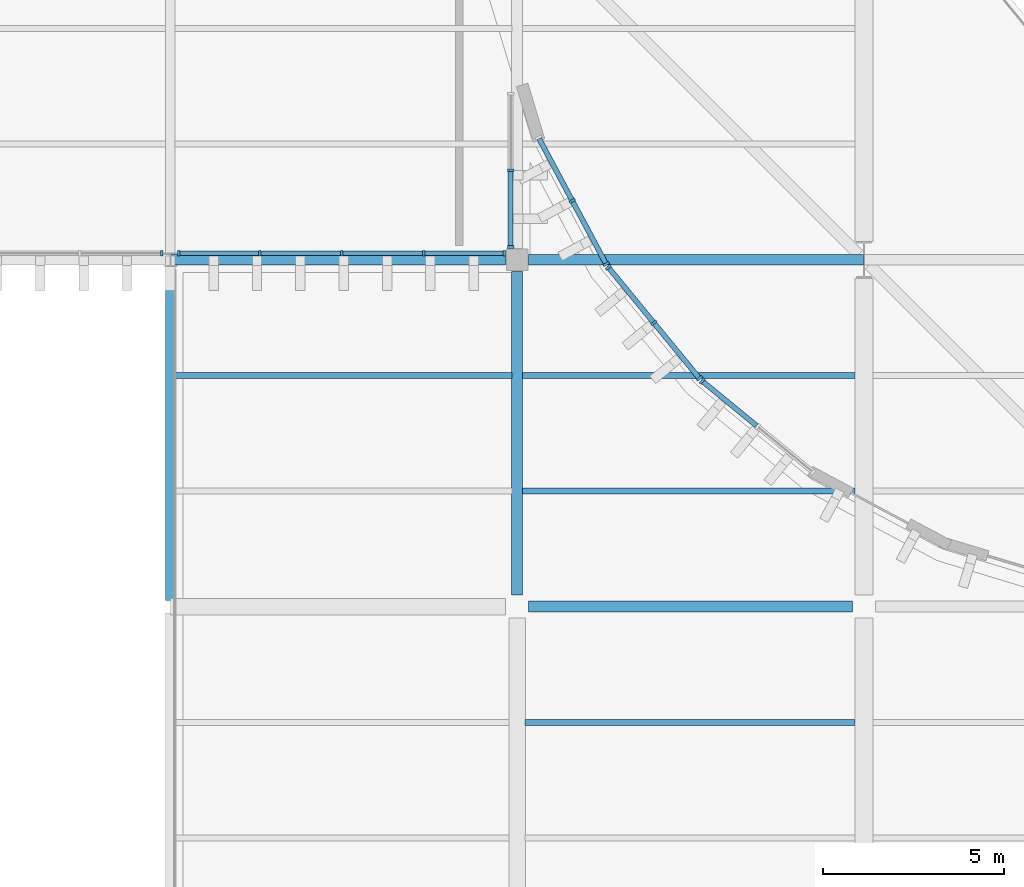
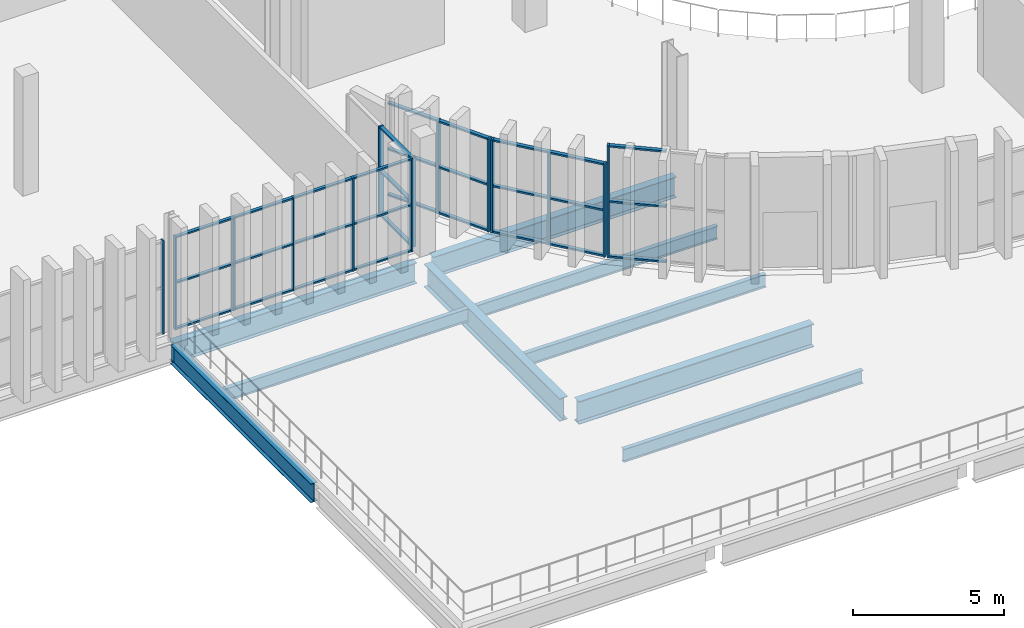
# One storey, part 15 of 99: 44 members, 9 beams, 6 elements without a shape of their own.
"""IFC4 building model written with IfcOpenShell, lengths in metres."""

from ifc_helpers import new_model, si_unit, direction, frame, origin, origin_2d, place, context, subcontext, project, spatial, rectangle, i_section, extrude, material, layer, layer_set, material_profile, profile_set, type_object, element, aggregate, save


model = new_model("IFC4")

# Units and contexts
model_context = context("Model", 3, precision=1e-05, world=origin(), true_north=direction((0.0, 1.0)))
body_context = subcontext(model_context, "Body", "Model", "MODEL_VIEW")
ifc_project = project(units=[si_unit("LENGTHUNIT", "METRE"), si_unit("AREAUNIT", "SQUARE_METRE"), si_unit("VOLUMEUNIT", "CUBIC_METRE"), si_unit("PLANEANGLEUNIT", "RADIAN"), si_unit("MASSUNIT", "GRAM", prefix="KILO")], contexts=[model_context])

# Site, building, storey
site_placement = place(None, origin())
site = spatial("IfcSite", under=ifc_project, at=site_placement, CompositionType="ELEMENT")
building_placement = place(site_placement, origin())
building = spatial("IfcBuilding", under=site, at=building_placement, Name="Caelomonte Colonnade Arena", CompositionType="ELEMENT")
storey_placement = place(building_placement, frame((0.0, 0.0, 4.800048828125)))
storey = spatial("IfcBuildingStorey", under=building, at=storey_placement, Name="L01", CompositionType="ELEMENT", Elevation=4.800048828125)

# Curtain wall, members
ifc_material_1 = material(Name="Bronze anodised aluminium and low-E glazing", Category="aluminium")
ifc_layer_1 = layer(ifc_material_1, 0.179931640625)
ifc_layer_set_1 = layer_set([ifc_layer_1], Name="Bronze anodised aluminium and low-E glazing")
curtain_wall_type_1 = type_object("IfcCurtainWallType", Name="ENV-CW-CW-L01-48-36", PredefinedType="USERDEFINED", material=ifc_layer_set_1)
curtain_wall_1_placement = place(storey_placement, origin())
curtain_wall_1 = element("IfcCurtainWall", 1, at=curtain_wall_1_placement, inside=storey, type_object=curtain_wall_type_1, Name="L01 unitized curtain wall CW-L01-0574-0312", ObjectType="UNITIZED CURTAIN WALL", PredefinedType="USERDEFINED")
ifc_material_2 = material(Name="Bronze anodised aluminium AA6063-T6", Category="aluminium")
ifc_material_profile_1 = material_profile(ifc_material_2, rectangle(XDim=0.070068359375, YDim=0.179931640625, at=origin_2d()), Name="CWM-70X180")
ifc_profile_set_1 = profile_set([ifc_material_profile_1], Name="Bronze anodised aluminium AA6063-T6")
member_type_1 = type_object("IfcMemberType", Name="ENV-CW-MULL1", PredefinedType="MULLION", material=ifc_profile_set_1)
member_1_placement = place(storey_placement, frame((57.419921875, 29.155029296875, 0.0), z_axis=(0.0, 0.0, 1.0), x_axis=(0.0, 1.0, 0.0)))
member_1 = element("IfcMember", 2, at=member_1_placement, type_object=member_type_1, Name="CW-L01-48-36 mullion 1", PredefinedType="MULLION", context=body_context, shape_type="SweptSolid", body=[
    extrude(rectangle(XDim=0.070068359375, YDim=0.179931640625, at=origin_2d()), origin(), (0.0, 0.0, 1.0), 3.593017578125),
])
member_2_placement = place(storey_placement, frame((57.419921875, 31.27783203125, 0.0), z_axis=(0.0, 0.0, 1.0), x_axis=(0.0, 1.0, 0.0)))
member_2 = element("IfcMember", 3, at=member_2_placement, type_object=member_type_1, Name="CW-L01-48-36 mullion 2", PredefinedType="MULLION", context=body_context, shape_type="SweptSolid", body=[
    extrude(rectangle(XDim=0.070068359375, YDim=0.179931640625, at=origin_2d()), origin(), (0.0, 0.0, 1.0), 3.593017578125),
])

ifc_layer_2 = layer(ifc_material_1, 0.179931640625)
ifc_layer_set_2 = layer_set([ifc_layer_2], Name="Bronze anodised aluminium and low-E glazing")
curtain_wall_type_2 = type_object("IfcCurtainWallType", Name="ENV-CW-CW-L01-44-38", PredefinedType="USERDEFINED", material=ifc_layer_set_2)
curtain_wall_2_placement = place(storey_placement, origin())
curtain_wall_2 = element("IfcCurtainWall", 4, at=curtain_wall_2_placement, inside=storey, type_object=curtain_wall_type_2, Name="L01 unitized curtain wall CW-L01-0591-0304", ObjectType="UNITIZED CURTAIN WALL", PredefinedType="USERDEFINED")
member_3_placement = place(storey_placement, frame((59.12744140625, 30.43310546875, 0.0), z_axis=(0.0, 0.0, 1.0), x_axis=(0.471394212466, -0.881922613642, 0.0)))
member_3 = element("IfcMember", 5, at=member_3_placement, type_object=member_type_1, Name="CW-L01-44-38 mullion 2", PredefinedType="MULLION", context=body_context, shape_type="SweptSolid", body=[
    extrude(rectangle(XDim=0.070068359375, YDim=0.179931640625, at=origin_2d()), origin(), (0.0, 0.0, 1.0), 3.758056640625),
])
member_4_placement = place(storey_placement, frame((60.0625, 28.68408203125, 0.0), z_axis=(0.0, 0.0, 1.0), x_axis=(0.471394212466, -0.881922613642, 0.0)))
member_4 = element("IfcMember", 6, at=member_4_placement, type_object=member_type_1, Name="CW-L01-44-38 mullion 3", PredefinedType="MULLION", context=body_context, shape_type="SweptSolid", body=[
    extrude(rectangle(XDim=0.070068359375, YDim=0.179931640625, at=origin_2d()), origin(), (0.0, 0.0, 1.0), 3.758056640625),
])

curtain_wall_3_placement = place(storey_placement, origin())
curtain_wall_3 = element("IfcCurtainWall", 7, at=curtain_wall_3_placement, inside=storey, type_object=curtain_wall_type_2, Name="L01 unitized curtain wall CW-L01-0614-0271", ObjectType="UNITIZED CURTAIN WALL", PredefinedType="USERDEFINED")
member_5_placement = place(storey_placement, frame((60.125732421875, 28.58935546875, 0.0), z_axis=(0.0, 0.0, 1.0), x_axis=(0.634416071163, -0.772991751994, 0.0)))
member_5 = element("IfcMember", 8, at=member_5_placement, type_object=member_type_1, Name="CW-L01-44-38 mullion 1", PredefinedType="MULLION", context=body_context, shape_type="SweptSolid", body=[
    extrude(rectangle(XDim=0.070068359375, YDim=0.179931640625, at=origin_2d()), origin(), (0.0, 0.0, 1.0), 3.758056640625),
])
member_6_placement = place(storey_placement, frame((61.384033203125, 27.05615234375, 0.0), z_axis=(0.0, 0.0, 1.0), x_axis=(0.634416071163, -0.772991751994, 0.0)))
member_6 = element("IfcMember", 9, at=member_6_placement, type_object=member_type_1, Name="CW-L01-44-38 mullion 2", PredefinedType="MULLION", context=body_context, shape_type="SweptSolid", body=[
    extrude(rectangle(XDim=0.070068359375, YDim=0.179931640625, at=origin_2d()), origin(), (0.0, 0.0, 1.0), 3.758056640625),
])
member_7_placement = place(storey_placement, frame((62.642333984375, 25.52294921875, 0.0), z_axis=(0.0, 0.0, 1.0), x_axis=(0.634416071163, -0.772991751994, 0.0)))
member_7 = element("IfcMember", 10, at=member_7_placement, type_object=member_type_1, Name="CW-L01-44-38 mullion 3", PredefinedType="MULLION", context=body_context, shape_type="SweptSolid", body=[
    extrude(rectangle(XDim=0.070068359375, YDim=0.179931640625, at=origin_2d()), origin(), (0.0, 0.0, 1.0), 3.758056640625),
])

# Curtain wall, member
ifc_layer_3 = layer(ifc_material_1, 0.179931640625)
ifc_layer_set_3 = layer_set([ifc_layer_3], Name="Bronze anodised aluminium and low-E glazing")
curtain_wall_type_3 = type_object("IfcCurtainWallType", Name="ENV-CW-CW-L01-44-45", PredefinedType="USERDEFINED", material=ifc_layer_set_3)
curtain_wall_4_placement = place(storey_placement, origin())
curtain_wall_4 = element("IfcCurtainWall", 11, at=curtain_wall_4_placement, inside=storey, type_object=curtain_wall_type_3, Name="L01 unitized curtain wall CW-L01-0643-0242", ObjectType="UNITIZED CURTAIN WALL", PredefinedType="USERDEFINED")
member_8_placement = place(storey_placement, frame((62.722900390625, 25.4423828125, 0.0), z_axis=(0.0, 0.0, 1.0), x_axis=(0.772991751994, -0.634416071163, 0.0)))
member_8 = element("IfcMember", 12, at=member_8_placement, type_object=member_type_1, Name="CW-L01-44-45 mullion 1", PredefinedType="MULLION", context=body_context, shape_type="SweptSolid", body=[
    extrude(rectangle(XDim=0.070068359375, YDim=0.179931640625, at=origin_2d()), origin(), (0.0, 0.0, 1.0), 4.52001953125),
])

ifc_layer_4 = layer(ifc_material_1, 0.179931640625)
ifc_layer_set_4 = layer_set([ifc_layer_4], Name="Bronze anodised aluminium and low-E glazing")
curtain_wall_type_4 = type_object("IfcCurtainWallType", Name="ENV-CW-CW-L01-96-38", PredefinedType="USERDEFINED", material=ifc_layer_set_4)
curtain_wall_5_placement = place(storey_placement, origin())
curtain_wall_5 = element("IfcCurtainWall", 13, at=curtain_wall_5_placement, inside=storey, type_object=curtain_wall_type_4, Name="L01 unitized curtain wall CW-L01-0432-0290", ObjectType="UNITIZED CURTAIN WALL", PredefinedType="USERDEFINED")
ifc_material_profile_2 = material_profile(ifc_material_2, rectangle(XDim=0.06494140625, YDim=0.14990234375, at=origin_2d()), Name="CWM-65X150")
ifc_profile_set_2 = profile_set([ifc_material_profile_2], Name="Bronze anodised aluminium AA6063-T6")
member_type_2 = type_object("IfcMemberType", Name="ENV-CW-MULL2", PredefinedType="MULLION", material=ifc_profile_set_2)
member_9_placement = place(storey_placement, frame((47.76318359375, 28.97998046875, 0.0), z_axis=(0.0, 0.0, 1.0), x_axis=(1.0, 0.0, 0.0)))
member_9 = element("IfcMember", 14, at=member_9_placement, type_object=member_type_2, Name="CW-L01-96-38 mullion 5", PredefinedType="MULLION", context=body_context, shape_type="SweptSolid", body=[
    extrude(rectangle(XDim=0.06494140625, YDim=0.14990234375, at=origin_2d()), origin(), (0.0, 0.0, 1.0), 3.758056640625),
])
aggregate(curtain_wall_5, [member_9])

# Curtain wall, members
curtain_wall_6_placement = place(storey_placement, origin())
curtain_wall_6 = element("IfcCurtainWall", 15, at=curtain_wall_6_placement, inside=storey, type_object=curtain_wall_type_4, Name="L01 unitized curtain wall CW-L01-0528-0290", ObjectType="UNITIZED CURTAIN WALL", PredefinedType="USERDEFINED")
member_10_placement = place(storey_placement, frame((48.23681640625, 28.97998046875, 0.0), z_axis=(0.0, 0.0, 1.0), x_axis=(1.0, 0.0, 0.0)))
member_10 = element("IfcMember", 16, at=member_10_placement, type_object=member_type_2, Name="CW-L01-96-38 mullion 1", PredefinedType="MULLION", context=body_context, shape_type="SweptSolid", body=[
    extrude(rectangle(XDim=0.06494140625, YDim=0.14990234375, at=origin_2d()), origin(), (0.0, 0.0, 1.0), 3.758056640625),
])
member_11_placement = place(storey_placement, frame((50.473388671875, 28.97998046875, 0.0), z_axis=(0.0, 0.0, 1.0), x_axis=(1.0, 0.0, 0.0)))
member_11 = element("IfcMember", 17, at=member_11_placement, type_object=member_type_2, Name="CW-L01-96-38 mullion 2", PredefinedType="MULLION", context=body_context, shape_type="SweptSolid", body=[
    extrude(rectangle(XDim=0.06494140625, YDim=0.14990234375, at=origin_2d()), origin(), (0.0, 0.0, 1.0), 3.758056640625),
])
member_12_placement = place(storey_placement, frame((52.7421875, 28.97998046875, 0.0), z_axis=(0.0, 0.0, 1.0), x_axis=(1.0, 0.0, 0.0)))
member_12 = element("IfcMember", 18, at=member_12_placement, type_object=member_type_2, Name="CW-L01-96-38 mullion 3", PredefinedType="MULLION", context=body_context, shape_type="SweptSolid", body=[
    extrude(rectangle(XDim=0.06494140625, YDim=0.14990234375, at=origin_2d()), origin(), (0.0, 0.0, 1.0), 3.758056640625),
])
member_13_placement = place(storey_placement, frame((55.010986328125, 28.97998046875, 0.0), z_axis=(0.0, 0.0, 1.0), x_axis=(1.0, 0.0, 0.0)))
member_13 = element("IfcMember", 19, at=member_13_placement, type_object=member_type_2, Name="CW-L01-96-38 mullion 4", PredefinedType="MULLION", context=body_context, shape_type="SweptSolid", body=[
    extrude(rectangle(XDim=0.06494140625, YDim=0.14990234375, at=origin_2d()), origin(), (0.0, 0.0, 1.0), 3.758056640625),
])
member_14_placement = place(storey_placement, frame((57.24755859375, 28.97998046875, 0.0), z_axis=(0.0, 0.0, 1.0), x_axis=(1.0, 0.0, 0.0)))
member_14 = element("IfcMember", 20, at=member_14_placement, type_object=member_type_2, Name="CW-L01-96-38 mullion 5", PredefinedType="MULLION", context=body_context, shape_type="SweptSolid", body=[
    extrude(rectangle(XDim=0.06494140625, YDim=0.14990234375, at=origin_2d()), origin(), (0.0, 0.0, 1.0), 3.758056640625),
])

# Member
ifc_material_profile_3 = material_profile(ifc_material_2, rectangle(XDim=0.070068359375, YDim=0.139892578125, at=origin_2d()), Name="CWT-70X140")
ifc_profile_set_3 = profile_set([ifc_material_profile_3], Name="Bronze anodised aluminium AA6063-T6")
member_type_3 = type_object("IfcMemberType", Name="ENV-CW-TRAN1", PredefinedType="USERDEFINED", material=ifc_profile_set_3)
member_15_placement = place(storey_placement, frame((57.419921875, 29.18994140625, 0.034912109375), z_axis=(0.0, 1.0, 0.0), x_axis=(0.0, 0.0, 1.0)))
member_15 = element("IfcMember", 21, at=member_15_placement, type_object=member_type_3, Name="CW-L01-48-36 transom 1.1", ObjectType="TRANSOM", PredefinedType="USERDEFINED", context=body_context, shape_type="SweptSolid", body=[
    extrude(rectangle(XDim=0.070068359375, YDim=0.139892578125, at=origin_2d()), origin(), (0.0, 0.0, 1.0), 2.052734375),
])

member_16_placement = place(storey_placement, frame((57.419921875, 29.18994140625, 1.79638671875), z_axis=(0.0, 1.0, 0.0), x_axis=(0.0, 0.0, 1.0)))
member_16 = element("IfcMember", 22, at=member_16_placement, type_object=member_type_3, Name="CW-L01-48-36 transom 1.2", ObjectType="TRANSOM", PredefinedType="USERDEFINED", context=body_context, shape_type="SweptSolid", body=[
    extrude(rectangle(XDim=0.070068359375, YDim=0.139892578125, at=origin_2d()), origin(), (0.0, 0.0, 1.0), 2.052734375),
])

member_17_placement = place(storey_placement, frame((57.419921875, 29.18994140625, 3.557861328125), z_axis=(0.0, 1.0, 0.0), x_axis=(0.0, 0.0, 1.0)))
member_17 = element("IfcMember", 23, at=member_17_placement, type_object=member_type_3, Name="CW-L01-48-36 transom 1.3", ObjectType="TRANSOM", PredefinedType="USERDEFINED", context=body_context, shape_type="SweptSolid", body=[
    extrude(rectangle(XDim=0.070068359375, YDim=0.139892578125, at=origin_2d()), origin(), (0.0, 0.0, 1.0), 2.052734375),
])

aggregate(curtain_wall_1, [member_1, member_2, member_15, member_16, member_17])

member_18_placement = place(storey_placement, frame((58.208984375, 32.1513671875, 0.034912109375), z_axis=(0.47149534087, -0.881868552301, 0.0), x_axis=(0.0, 0.0, 1.0)))
member_18 = element("IfcMember", 24, at=member_18_placement, type_object=member_type_3, Name="CW-L01-44-38 transom 1.1", ObjectType="TRANSOM", PredefinedType="USERDEFINED", context=body_context, shape_type="SweptSolid", body=[
    extrude(rectangle(XDim=0.070068359375, YDim=0.139892578125, at=origin_2d()), origin(), (0.0, 0.0, 1.0), 1.913330078125),
])

member_19_placement = place(storey_placement, frame((58.208984375, 32.1513671875, 1.87890625), z_axis=(0.47149534087, -0.881868552301, 0.0), x_axis=(0.0, 0.0, 1.0)))
member_19 = element("IfcMember", 25, at=member_19_placement, type_object=member_type_3, Name="CW-L01-44-38 transom 1.2", ObjectType="TRANSOM", PredefinedType="USERDEFINED", context=body_context, shape_type="SweptSolid", body=[
    extrude(rectangle(XDim=0.070068359375, YDim=0.139892578125, at=origin_2d()), origin(), (0.0, 0.0, 1.0), 1.913330078125),
])

member_20_placement = place(storey_placement, frame((58.208984375, 32.1513671875, 3.722900390625), z_axis=(0.47149534087, -0.881868552301, 0.0), x_axis=(0.0, 0.0, 1.0)))
member_20 = element("IfcMember", 26, at=member_20_placement, type_object=member_type_3, Name="CW-L01-44-38 transom 1.3", ObjectType="TRANSOM", PredefinedType="USERDEFINED", context=body_context, shape_type="SweptSolid", body=[
    extrude(rectangle(XDim=0.070068359375, YDim=0.139892578125, at=origin_2d()), origin(), (0.0, 0.0, 1.0), 1.913330078125),
])

member_21_placement = place(storey_placement, frame((59.14404296875, 30.40234375, 0.034912109375), z_axis=(0.471343048304, -0.88194995936, 0.0), x_axis=(0.0, 0.0, 1.0)))
member_21 = element("IfcMember", 27, at=member_21_placement, type_object=member_type_3, Name="CW-L01-44-38 transom 2.1", ObjectType="TRANSOM", PredefinedType="USERDEFINED", context=body_context, shape_type="SweptSolid", body=[
    extrude(rectangle(XDim=0.070068359375, YDim=0.139892578125, at=origin_2d()), origin(), (0.0, 0.0, 1.0), 1.913330078125),
])

member_22_placement = place(storey_placement, frame((59.14404296875, 30.40234375, 1.87890625), z_axis=(0.471343048304, -0.88194995936, 0.0), x_axis=(0.0, 0.0, 1.0)))
member_22 = element("IfcMember", 28, at=member_22_placement, type_object=member_type_3, Name="CW-L01-44-38 transom 2.2", ObjectType="TRANSOM", PredefinedType="USERDEFINED", context=body_context, shape_type="SweptSolid", body=[
    extrude(rectangle(XDim=0.070068359375, YDim=0.139892578125, at=origin_2d()), origin(), (0.0, 0.0, 1.0), 1.913330078125),
])

member_23_placement = place(storey_placement, frame((59.14404296875, 30.40234375, 3.722900390625), z_axis=(0.471343048304, -0.88194995936, 0.0), x_axis=(0.0, 0.0, 1.0)))
member_23 = element("IfcMember", 29, at=member_23_placement, type_object=member_type_3, Name="CW-L01-44-38 transom 2.3", ObjectType="TRANSOM", PredefinedType="USERDEFINED", context=body_context, shape_type="SweptSolid", body=[
    extrude(rectangle(XDim=0.070068359375, YDim=0.139892578125, at=origin_2d()), origin(), (0.0, 0.0, 1.0), 1.913330078125),
])

aggregate(curtain_wall_2, [member_3, member_4, member_18, member_19, member_20, member_21, member_22, member_23])

member_24_placement = place(storey_placement, frame((60.14794921875, 28.562255859375, 0.034912109375), z_axis=(0.634418283662, -0.772989936128, 0.0), x_axis=(0.0, 0.0, 1.0)))
member_24 = element("IfcMember", 30, at=member_24_placement, type_object=member_type_3, Name="CW-L01-44-38 transom 1.1", ObjectType="TRANSOM", PredefinedType="USERDEFINED", context=body_context, shape_type="SweptSolid", body=[
    extrude(rectangle(XDim=0.070068359375, YDim=0.139892578125, at=origin_2d()), origin(), (0.0, 0.0, 1.0), 1.913330078125),
])

member_25_placement = place(storey_placement, frame((60.14794921875, 28.562255859375, 1.87890625), z_axis=(0.634418283662, -0.772989936128, 0.0), x_axis=(0.0, 0.0, 1.0)))
member_25 = element("IfcMember", 31, at=member_25_placement, type_object=member_type_3, Name="CW-L01-44-38 transom 1.2", ObjectType="TRANSOM", PredefinedType="USERDEFINED", context=body_context, shape_type="SweptSolid", body=[
    extrude(rectangle(XDim=0.070068359375, YDim=0.139892578125, at=origin_2d()), origin(), (0.0, 0.0, 1.0), 1.913330078125),
])

member_26_placement = place(storey_placement, frame((60.14794921875, 28.562255859375, 3.722900390625), z_axis=(0.634418283662, -0.772989936128, 0.0), x_axis=(0.0, 0.0, 1.0)))
member_26 = element("IfcMember", 32, at=member_26_placement, type_object=member_type_3, Name="CW-L01-44-38 transom 1.3", ObjectType="TRANSOM", PredefinedType="USERDEFINED", context=body_context, shape_type="SweptSolid", body=[
    extrude(rectangle(XDim=0.070068359375, YDim=0.139892578125, at=origin_2d()), origin(), (0.0, 0.0, 1.0), 1.913330078125),
])

member_27_placement = place(storey_placement, frame((61.40625, 27.029052734375, 0.034912109375), z_axis=(0.634418283662, -0.772989936128, 0.0), x_axis=(0.0, 0.0, 1.0)))
member_27 = element("IfcMember", 33, at=member_27_placement, type_object=member_type_3, Name="CW-L01-44-38 transom 2.1", ObjectType="TRANSOM", PredefinedType="USERDEFINED", context=body_context, shape_type="SweptSolid", body=[
    extrude(rectangle(XDim=0.070068359375, YDim=0.139892578125, at=origin_2d()), origin(), (0.0, 0.0, 1.0), 1.913330078125),
])

member_28_placement = place(storey_placement, frame((61.40625, 27.029052734375, 1.87890625), z_axis=(0.634418283662, -0.772989936128, 0.0), x_axis=(0.0, 0.0, 1.0)))
member_28 = element("IfcMember", 34, at=member_28_placement, type_object=member_type_3, Name="CW-L01-44-38 transom 2.2", ObjectType="TRANSOM", PredefinedType="USERDEFINED", context=body_context, shape_type="SweptSolid", body=[
    extrude(rectangle(XDim=0.070068359375, YDim=0.139892578125, at=origin_2d()), origin(), (0.0, 0.0, 1.0), 1.913330078125),
])

member_29_placement = place(storey_placement, frame((61.40625, 27.029052734375, 3.722900390625), z_axis=(0.634418283662, -0.772989936128, 0.0), x_axis=(0.0, 0.0, 1.0)))
member_29 = element("IfcMember", 35, at=member_29_placement, type_object=member_type_3, Name="CW-L01-44-38 transom 2.3", ObjectType="TRANSOM", PredefinedType="USERDEFINED", context=body_context, shape_type="SweptSolid", body=[
    extrude(rectangle(XDim=0.070068359375, YDim=0.139892578125, at=origin_2d()), origin(), (0.0, 0.0, 1.0), 1.913330078125),
])

aggregate(curtain_wall_3, [member_5, member_6, member_7, member_24, member_25, member_26, member_27, member_28, member_29])

member_30_placement = place(storey_placement, frame((62.75, 25.420166015625, 0.034912109375), z_axis=(0.772989936128, -0.634418283662, 0.0), x_axis=(0.0, 0.0, 1.0)))
member_30 = element("IfcMember", 36, at=member_30_placement, type_object=member_type_3, Name="CW-L01-44-45 transom 1.1", ObjectType="TRANSOM", PredefinedType="USERDEFINED", context=body_context, shape_type="SweptSolid", body=[
    extrude(rectangle(XDim=0.070068359375, YDim=0.139892578125, at=origin_2d()), origin(), (0.0, 0.0, 1.0), 1.913330078125),
])

member_31_placement = place(storey_placement, frame((62.75, 25.420166015625, 2.260009765625), z_axis=(0.772989936128, -0.634418283662, 0.0), x_axis=(0.0, 0.0, 1.0)))
member_31 = element("IfcMember", 37, at=member_31_placement, type_object=member_type_3, Name="CW-L01-44-45 transom 1.2", ObjectType="TRANSOM", PredefinedType="USERDEFINED", context=body_context, shape_type="SweptSolid", body=[
    extrude(rectangle(XDim=0.070068359375, YDim=0.139892578125, at=origin_2d()), origin(), (0.0, 0.0, 1.0), 1.913330078125),
])

member_32_placement = place(storey_placement, frame((62.75, 25.420166015625, 4.48486328125), z_axis=(0.772989936128, -0.634418283662, 0.0), x_axis=(0.0, 0.0, 1.0)))
member_32 = element("IfcMember", 38, at=member_32_placement, type_object=member_type_3, Name="CW-L01-44-45 transom 1.3", ObjectType="TRANSOM", PredefinedType="USERDEFINED", context=body_context, shape_type="SweptSolid", body=[
    extrude(rectangle(XDim=0.070068359375, YDim=0.139892578125, at=origin_2d()), origin(), (0.0, 0.0, 1.0), 1.913330078125),
])

aggregate(curtain_wall_4, [member_8, member_30, member_31, member_32])

ifc_material_profile_4 = material_profile(ifc_material_2, rectangle(XDim=0.06494140625, YDim=0.1201171875, at=origin_2d()), Name="CWT-65X120")
ifc_profile_set_4 = profile_set([ifc_material_profile_4], Name="Bronze anodised aluminium AA6063-T6")
member_type_4 = type_object("IfcMemberType", Name="ENV-CW-TRAN2", PredefinedType="USERDEFINED", material=ifc_profile_set_4)
member_33_placement = place(storey_placement, frame((48.269287109375, 28.97998046875, 0.032470703125), z_axis=(1.0, 0.0, 0.0), x_axis=(0.0, 0.0, 1.0)))
member_33 = element("IfcMember", 39, at=member_33_placement, type_object=member_type_4, Name="CW-L01-96-38 transom 1.1", ObjectType="TRANSOM", PredefinedType="USERDEFINED", context=body_context, shape_type="SweptSolid", body=[
    extrude(rectangle(XDim=0.06494140625, YDim=0.1201171875, at=origin_2d()), origin(), (0.0, 0.0, 1.0), 2.171630859375),
])

member_34_placement = place(storey_placement, frame((48.269287109375, 28.97998046875, 1.87890625), z_axis=(1.0, 0.0, 0.0), x_axis=(0.0, 0.0, 1.0)))
member_34 = element("IfcMember", 40, at=member_34_placement, type_object=member_type_4, Name="CW-L01-96-38 transom 1.2", ObjectType="TRANSOM", PredefinedType="USERDEFINED", context=body_context, shape_type="SweptSolid", body=[
    extrude(rectangle(XDim=0.06494140625, YDim=0.1201171875, at=origin_2d()), origin(), (0.0, 0.0, 1.0), 2.171630859375),
])

member_35_placement = place(storey_placement, frame((48.269287109375, 28.97998046875, 3.725341796875), z_axis=(1.0, 0.0, 0.0), x_axis=(0.0, 0.0, 1.0)))
member_35 = element("IfcMember", 41, at=member_35_placement, type_object=member_type_4, Name="CW-L01-96-38 transom 1.3", ObjectType="TRANSOM", PredefinedType="USERDEFINED", context=body_context, shape_type="SweptSolid", body=[
    extrude(rectangle(XDim=0.06494140625, YDim=0.1201171875, at=origin_2d()), origin(), (0.0, 0.0, 1.0), 2.171630859375),
])

member_36_placement = place(storey_placement, frame((50.505859375, 28.97998046875, 0.032470703125), z_axis=(1.0, 0.0, 0.0), x_axis=(0.0, 0.0, 1.0)))
member_36 = element("IfcMember", 42, at=member_36_placement, type_object=member_type_4, Name="CW-L01-96-38 transom 2.1", ObjectType="TRANSOM", PredefinedType="USERDEFINED", context=body_context, shape_type="SweptSolid", body=[
    extrude(rectangle(XDim=0.06494140625, YDim=0.1201171875, at=origin_2d()), origin(), (0.0, 0.0, 1.0), 2.203857421875),
])

member_37_placement = place(storey_placement, frame((50.505859375, 28.97998046875, 1.87890625), z_axis=(1.0, 0.0, 0.0), x_axis=(0.0, 0.0, 1.0)))
member_37 = element("IfcMember", 43, at=member_37_placement, type_object=member_type_4, Name="CW-L01-96-38 transom 2.2", ObjectType="TRANSOM", PredefinedType="USERDEFINED", context=body_context, shape_type="SweptSolid", body=[
    extrude(rectangle(XDim=0.06494140625, YDim=0.1201171875, at=origin_2d()), origin(), (0.0, 0.0, 1.0), 2.203857421875),
])

member_38_placement = place(storey_placement, frame((50.505859375, 28.97998046875, 3.725341796875), z_axis=(1.0, 0.0, 0.0), x_axis=(0.0, 0.0, 1.0)))
member_38 = element("IfcMember", 44, at=member_38_placement, type_object=member_type_4, Name="CW-L01-96-38 transom 2.3", ObjectType="TRANSOM", PredefinedType="USERDEFINED", context=body_context, shape_type="SweptSolid", body=[
    extrude(rectangle(XDim=0.06494140625, YDim=0.1201171875, at=origin_2d()), origin(), (0.0, 0.0, 1.0), 2.203857421875),
])

member_39_placement = place(storey_placement, frame((52.774658203125, 28.97998046875, 0.032470703125), z_axis=(1.0, 0.0, 0.0), x_axis=(0.0, 0.0, 1.0)))
member_39 = element("IfcMember", 45, at=member_39_placement, type_object=member_type_4, Name="CW-L01-96-38 transom 3.1", ObjectType="TRANSOM", PredefinedType="USERDEFINED", context=body_context, shape_type="SweptSolid", body=[
    extrude(rectangle(XDim=0.06494140625, YDim=0.1201171875, at=origin_2d()), origin(), (0.0, 0.0, 1.0), 2.203857421875),
])

member_40_placement = place(storey_placement, frame((52.774658203125, 28.97998046875, 1.87890625), z_axis=(1.0, 0.0, 0.0), x_axis=(0.0, 0.0, 1.0)))
member_40 = element("IfcMember", 46, at=member_40_placement, type_object=member_type_4, Name="CW-L01-96-38 transom 3.2", ObjectType="TRANSOM", PredefinedType="USERDEFINED", context=body_context, shape_type="SweptSolid", body=[
    extrude(rectangle(XDim=0.06494140625, YDim=0.1201171875, at=origin_2d()), origin(), (0.0, 0.0, 1.0), 2.203857421875),
])

member_41_placement = place(storey_placement, frame((52.774658203125, 28.97998046875, 3.725341796875), z_axis=(1.0, 0.0, 0.0), x_axis=(0.0, 0.0, 1.0)))
member_41 = element("IfcMember", 47, at=member_41_placement, type_object=member_type_4, Name="CW-L01-96-38 transom 3.3", ObjectType="TRANSOM", PredefinedType="USERDEFINED", context=body_context, shape_type="SweptSolid", body=[
    extrude(rectangle(XDim=0.06494140625, YDim=0.1201171875, at=origin_2d()), origin(), (0.0, 0.0, 1.0), 2.203857421875),
])

member_42_placement = place(storey_placement, frame((55.043701171875, 28.97998046875, 0.032470703125), z_axis=(1.0, 0.0, 0.0), x_axis=(0.0, 0.0, 1.0)))
member_42 = element("IfcMember", 48, at=member_42_placement, type_object=member_type_4, Name="CW-L01-96-38 transom 4.1", ObjectType="TRANSOM", PredefinedType="USERDEFINED", context=body_context, shape_type="SweptSolid", body=[
    extrude(rectangle(XDim=0.06494140625, YDim=0.1201171875, at=origin_2d()), origin(), (0.0, 0.0, 1.0), 2.17138671875),
])

member_43_placement = place(storey_placement, frame((55.043701171875, 28.97998046875, 1.87890625), z_axis=(1.0, 0.0, 0.0), x_axis=(0.0, 0.0, 1.0)))
member_43 = element("IfcMember", 49, at=member_43_placement, type_object=member_type_4, Name="CW-L01-96-38 transom 4.2", ObjectType="TRANSOM", PredefinedType="USERDEFINED", context=body_context, shape_type="SweptSolid", body=[
    extrude(rectangle(XDim=0.06494140625, YDim=0.1201171875, at=origin_2d()), origin(), (0.0, 0.0, 1.0), 2.17138671875),
])

member_44_placement = place(storey_placement, frame((55.043701171875, 28.97998046875, 3.725341796875), z_axis=(1.0, 0.0, 0.0), x_axis=(0.0, 0.0, 1.0)))
member_44 = element("IfcMember", 50, at=member_44_placement, type_object=member_type_4, Name="CW-L01-96-38 transom 4.3", ObjectType="TRANSOM", PredefinedType="USERDEFINED", context=body_context, shape_type="SweptSolid", body=[
    extrude(rectangle(XDim=0.06494140625, YDim=0.1201171875, at=origin_2d()), origin(), (0.0, 0.0, 1.0), 2.17138671875),
])

aggregate(curtain_wall_6, [member_10, member_11, member_12, member_13, member_14, member_33, member_34, member_35, member_36, member_37, member_38, member_39, member_40, member_41, member_42, member_43, member_44])

# Beams
ifc_material_3 = material(Name="Wide-flange steel ASTM A992 Grade 50", Category="steel")
ifc_material_profile_5 = material_profile(ifc_material_3, i_section(OverallWidth=0.307861328125, OverallDepth=0.927001953125, WebThickness=0.019287109375, FlangeThickness=0.031982421875, FilletRadius=0.020263671875, at=origin_2d()), Name="W36X194")
ifc_profile_set_5 = profile_set([ifc_material_profile_5], Name="Wide-flange steel ASTM A992 Grade 50")
beam_type_1 = type_object("IfcBeamType", Name="STR-BM-EAVES2", PredefinedType="SPANDREL", material=ifc_profile_set_5)
beam_1_placement = place(storey_placement, frame((57.9169921875, 19.199951171875, -0.763427734375), z_axis=(1.0, 0.0, 0.0), x_axis=(0.0, 1.0, 0.0)))
element("IfcBeam", 51, at=beam_1_placement, inside=storey, type_object=beam_type_1, Name="L01 girder BMX-L01-0576-0192", PredefinedType="SPANDREL", context=body_context, shape_type="SweptSolid", body=[
    extrude(i_section(OverallWidth=0.307861328125, OverallDepth=0.927001953125, WebThickness=0.019287109375, FlangeThickness=0.031982421875, FilletRadius=0.020263671875, at=origin_2d()), origin(), (0.0, 0.0, 1.0), 8.966064453125),
])
beam_2_placement = place(storey_placement, frame((57.60009765625, 19.51708984375, -0.763427734375), z_axis=(0.0, 1.0, 0.0), x_axis=(-1.0, 0.0, 0.0)))
element("IfcBeam", 52, at=beam_2_placement, inside=storey, type_object=beam_type_1, Name="L01 girder BMY-L01-0576-0192", PredefinedType="SPANDREL", context=body_context, shape_type="SweptSolid", body=[
    extrude(i_section(OverallWidth=0.307861328125, OverallDepth=0.927001953125, WebThickness=0.019287109375, FlangeThickness=0.031982421875, FilletRadius=0.020263671875, at=origin_2d()), origin(), (0.0, 0.0, 1.0), 8.9658203125),
])
ifc_material_profile_6 = material_profile(ifc_material_3, i_section(OverallWidth=0.2666015625, OverallDepth=0.761962890625, WebThickness=0.014404296875, FlangeThickness=0.021484375, FilletRadius=0.0166015625, at=origin_2d()), Name="W30X116")
ifc_profile_set_6 = profile_set([ifc_material_profile_6], Name="Wide-flange steel ASTM A992 Grade 50")
beam_type_2 = type_object("IfcBeamType", Name="STR-BM-GIRD30", PredefinedType="BEAM", material=ifc_profile_set_6)
beam_3_placement = place(storey_placement, frame((48.0, 19.3701171875, -0.68115234375), z_axis=(0.0, 1.0, 0.0), x_axis=(-1.0, 0.0, 0.0)))
element("IfcBeam", 53, at=beam_3_placement, inside=storey, type_object=beam_type_2, Name="L01 girder BMY-L01-0480-0192", PredefinedType="BEAM", context=body_context, shape_type="SweptSolid", body=[
    extrude(i_section(OverallWidth=0.2666015625, OverallDepth=0.761962890625, WebThickness=0.014404296875, FlangeThickness=0.021484375, FilletRadius=0.0166015625, at=origin_2d()), origin(), (0.0, 0.0, 1.0), 9.259765625),
])
ifc_material_profile_7 = material_profile(ifc_material_3, i_section(OverallWidth=0.2919921875, OverallDepth=0.835693359375, WebThickness=0.013916015625, FlangeThickness=0.018798828125, FilletRadius=0.017822265625, at=origin_2d()), Name="W33X118")
ifc_profile_set_7 = profile_set([ifc_material_profile_7], Name="Wide-flange steel ASTM A992 Grade 50")
beam_type_3 = type_object("IfcBeamType", Name="STR-BM-GIRD33B", PredefinedType="BEAM", material=ifc_profile_set_7)
beam_4_placement = place(storey_placement, frame((48.005615234375, 28.800048828125, -0.7177734375), z_axis=(1.0, 0.0, 0.0), x_axis=(0.0, 1.0, 0.0)))
element("IfcBeam", 54, at=beam_4_placement, inside=storey, type_object=beam_type_3, Name="L01 girder BMX-L01-0480-0288", PredefinedType="BEAM", context=body_context, shape_type="SweptSolid", body=[
    extrude(i_section(OverallWidth=0.2919921875, OverallDepth=0.835693359375, WebThickness=0.013916015625, FlangeThickness=0.018798828125, FilletRadius=0.017822265625, at=origin_2d()), origin(), (0.0, 0.0, 1.0), 9.27734375),
])
beam_5_placement = place(storey_placement, frame((57.9169921875, 28.800048828125, -0.7177734375), z_axis=(1.0, 0.0, 0.0), x_axis=(0.0, 1.0, 0.0)))
element("IfcBeam", 55, at=beam_5_placement, inside=storey, type_object=beam_type_3, Name="L01 girder BMX-L01-0576-0288", PredefinedType="BEAM", context=body_context, shape_type="SweptSolid", body=[
    extrude(i_section(OverallWidth=0.2919921875, OverallDepth=0.835693359375, WebThickness=0.013916015625, FlangeThickness=0.018798828125, FilletRadius=0.017822265625, at=origin_2d()), origin(), (0.0, 0.0, 1.0), 9.267578125),
])
ifc_material_profile_8 = material_profile(ifc_material_3, i_section(OverallWidth=0.166015625, OverallDepth=0.5283203125, WebThickness=0.009765625, FlangeThickness=0.013671875, FilletRadius=0.0126953125, at=origin_2d()), Name="W21X50")
ifc_profile_set_8 = profile_set([ifc_material_profile_8], Name="Wide-flange steel ASTM A992 Grade 50")
beam_type_4 = type_object("IfcBeamType", Name="STR-BM-JOIST21B", PredefinedType="JOIST", material=ifc_profile_set_8)
beam_6_placement = place(storey_placement, frame((48.12841796875, 25.60009765625, -0.564208984375), z_axis=(1.0, 0.0, 0.0), x_axis=(0.0, 1.0, 0.0)))
element("IfcBeam", 56, at=beam_6_placement, inside=storey, type_object=beam_type_4, Name="L01 secondary joist 2", PredefinedType="JOIST", context=body_context, shape_type="SweptSolid", body=[
    extrude(i_section(OverallWidth=0.166015625, OverallDepth=0.5283203125, WebThickness=0.009765625, FlangeThickness=0.013671875, FilletRadius=0.0126953125, at=origin_2d()), origin(), (0.0, 0.0, 1.0), 9.32275390625),
])
beam_7_placement = place(storey_placement, frame((57.820068359375, 16.0, -0.564208984375), z_axis=(1.0, 0.0, 0.0), x_axis=(0.0, 1.0, 0.0)))
element("IfcBeam", 57, at=beam_7_placement, inside=storey, type_object=beam_type_4, Name="L01 secondary joist 2", PredefinedType="JOIST", context=body_context, shape_type="SweptSolid", body=[
    extrude(i_section(OverallWidth=0.166015625, OverallDepth=0.5283203125, WebThickness=0.009765625, FlangeThickness=0.013671875, FilletRadius=0.0126953125, at=origin_2d()), origin(), (0.0, 0.0, 1.0), 9.135009765625),
])
for number, where, z_axis, x_axis, name in (
    (58, (57.748779296875, 22.39990234375, -0.564208984375), (1.0, 0.0, 0.0), (0.0, 1.0, 0.0), "L01 secondary joist 1"),
    (59, (57.748779296875, 25.60009765625, -0.564208984375), (1.0, 0.0, 0.0), (0.0, 1.0, 0.0), "L01 secondary joist 2"),
):
    element("IfcBeam", number, at=place(storey_placement, frame(where, z_axis=z_axis, x_axis=x_axis)), inside=storey, type_object=beam_type_4, Name=name, PredefinedType="JOIST", context=body_context, shape_type="SweptSolid", body=[
        extrude(i_section(OverallWidth=0.166015625, OverallDepth=0.5283203125, WebThickness=0.009765625, FlangeThickness=0.013671875, FilletRadius=0.0126953125, at=origin_2d()), origin(), (0.0, 0.0, 1.0), 9.206298828125),
    ])

save(model, "model.ifc")
